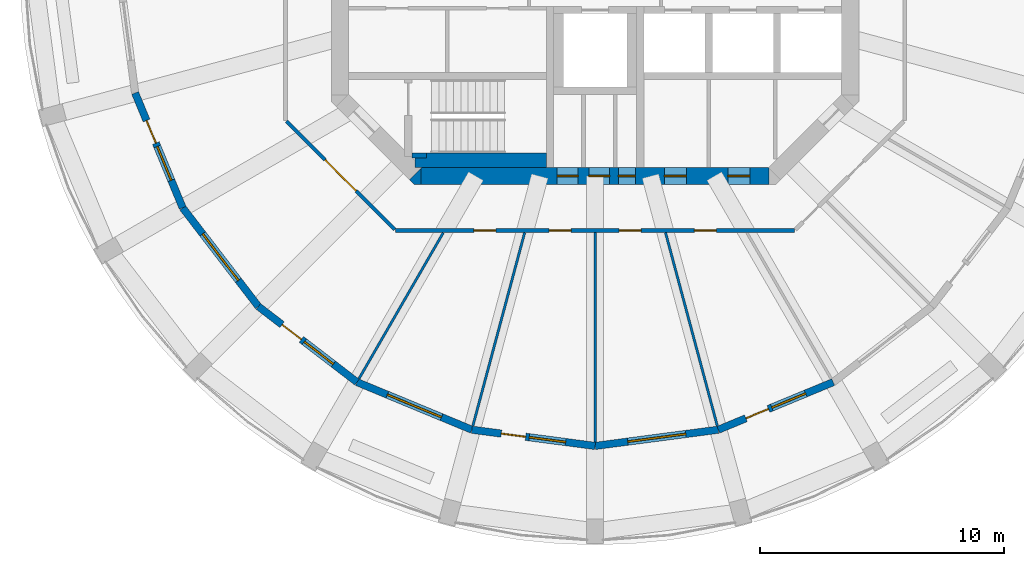
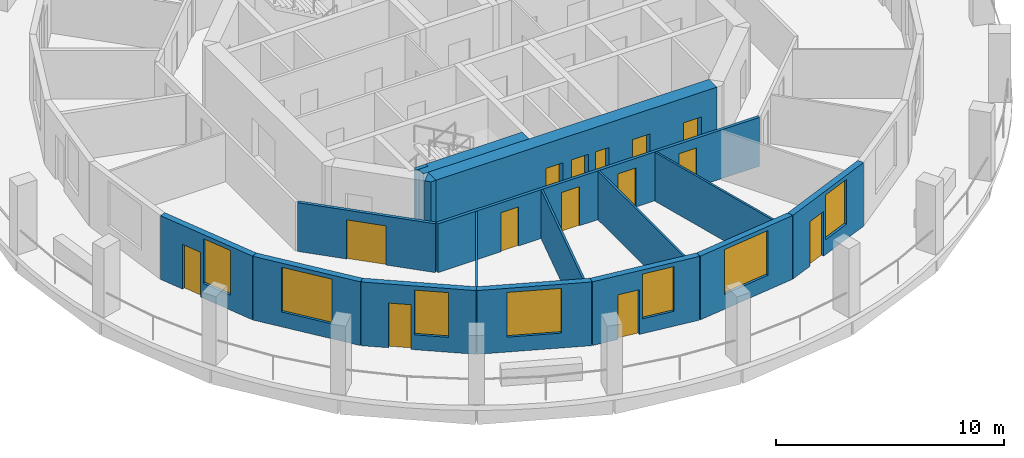
# One storey, part 2 of 8: 17 walls, 14 doors, 7 windows, 21 openings.
"""IFC4 building model written with IfcOpenShell, lengths in metres."""

from ifc_helpers import new_model, si_unit, direction, frame, frame_2d, origin, place, context, subcontext, project, spatial, polyline, rectangle, outline, extrude, material, layer, layer_set, type_object, element, fill, save


model = new_model("IFC4")

# Units and contexts
model_context = context("Model", 3, precision=1e-05, world=origin(), true_north=direction((0.0, 1.0)))
body_context = subcontext(model_context, "Body", "Model", "MODEL_VIEW")
ifc_project = project(units=[si_unit("LENGTHUNIT", "METRE"), si_unit("AREAUNIT", "SQUARE_METRE"), si_unit("VOLUMEUNIT", "CUBIC_METRE"), si_unit("PLANEANGLEUNIT", "RADIAN"), si_unit("MASSUNIT", "GRAM", prefix="KILO")], contexts=[model_context])

# Site, building, storey
site_placement = place(None, origin())
site = spatial("IfcSite", under=ifc_project, at=site_placement, CompositionType="ELEMENT")
building_placement = place(site_placement, origin())
building = spatial("IfcBuilding", under=site, at=building_placement, Name="Torre Triforio", CompositionType="ELEMENT")
storey_placement = place(building_placement, frame((0.0, 0.0, 203.89990234375)))
storey = spatial("IfcBuildingStorey", under=building, at=storey_placement, Name="L46", CompositionType="ELEMENT", Elevation=203.89990234375)

# Wall, openings, doors
ifc_material_1 = material(Name="Concrete C50", Category="concrete")
ifc_layer_1 = layer(ifc_material_1, 0.699951171875)
ifc_layer_set_1 = layer_set([ifc_layer_1], Name="Concrete C50")
wall_type_1 = type_object("IfcWallType", Name="Core wall 700 mm C50 EI 120", PredefinedType="SHEAR", material=ifc_layer_set_1)
wall_1_placement = place(storey_placement, frame((-7.1298828125, -8.449951171875, -0.27978515625), z_axis=(0.0, 0.0, 1.0), x_axis=(1.0, 0.0, 0.0)))
wall_1 = element("IfcWall", 1, at=wall_1_placement, inside=storey, type_object=wall_type_1, Name="Core wall", PredefinedType="SHEAR", context=body_context, shape_type="SweptSolid", body=[
    extrude(rectangle(XDim=14.259765625, YDim=0.699951171875, at=frame_2d((7.1298828125, 0.0))), origin(), (0.0, 0.0, 1.0), 3.699951171875),
])
opening_1_placement = place(wall_1_placement, frame((8.080078125, 0.0, 0.280029296875)))
opening_1 = element("IfcOpeningElement", 2, at=opening_1_placement, cuts=wall_1, Name="Opening RISER-S", PredefinedType="OPENING", context=body_context, shape_type="SweptSolid", body=[
    extrude(rectangle(XDim=0.699951171875, YDim=2.10009765625, at=frame_2d((0.35009765625, 1.050048828125))), frame((0.0, 0.35986328125, 0.0), z_axis=(0.0, -1.0, 0.0), x_axis=(1.0, 0.0, 0.0)), (0.0, 0.0, 1.0), 0.719970703125),
])
opening_2_placement = place(wall_1_placement, frame((5.580078125, 0.0, 0.280029296875)))
opening_2 = element("IfcOpeningElement", 3, at=opening_2_placement, cuts=wall_1, Name="Opening SW-01A", PredefinedType="OPENING", context=body_context, shape_type="SweptSolid", body=[
    extrude(rectangle(XDim=0.85009765625, YDim=2.10009765625, at=frame_2d((0.425048828125, 1.050048828125))), frame((0.0, 0.35986328125, 0.0), z_axis=(0.0, -1.0, 0.0), x_axis=(1.0, 0.0, 0.0)), (0.0, 0.0, 1.0), 0.719970703125),
])
opening_3_placement = place(wall_1_placement, frame((6.8798828125, 0.0, 0.280029296875)))
opening_3 = element("IfcOpeningElement", 4, at=opening_3_placement, cuts=wall_1, Name="Opening SW-02", PredefinedType="OPENING", context=body_context, shape_type="SweptSolid", body=[
    extrude(rectangle(XDim=0.85009765625, YDim=2.10009765625, at=frame_2d((0.425048828125, 1.050048828125))), frame((0.0, 0.35986328125, 0.0), z_axis=(0.0, -1.0, 0.0), x_axis=(1.0, 0.0, 0.0)), (0.0, 0.0, 1.0), 0.719970703125),
])
opening_4_placement = place(wall_1_placement, frame((9.967041015625, 0.0, 0.280029296875)))
opening_4 = element("IfcOpeningElement", 5, at=opening_4_placement, cuts=wall_1, Name="Opening SE-01A", PredefinedType="OPENING", context=body_context, shape_type="SweptSolid", body=[
    extrude(rectangle(XDim=0.89990234375, YDim=2.10009765625, at=frame_2d((0.449951171875, 1.050048828125))), frame((0.0, 0.35986328125, 0.0), z_axis=(0.0, -1.0, 0.0), x_axis=(1.0, 0.0, 0.0)), (0.0, 0.0, 1.0), 0.719970703125),
])
opening_5_placement = place(wall_1_placement, frame((12.56689453125, 0.0, 0.280029296875)))
opening_5 = element("IfcOpeningElement", 6, at=opening_5_placement, cuts=wall_1, Name="Opening SE-02", PredefinedType="OPENING", context=body_context, shape_type="SweptSolid", body=[
    extrude(rectangle(XDim=0.89990234375, YDim=2.10009765625, at=frame_2d((0.449951171875, 1.050048828125))), frame((0.0, 0.35986328125, 0.0), z_axis=(0.0, -1.0, 0.0), x_axis=(1.0, 0.0, 0.0)), (0.0, 0.0, 1.0), 0.719970703125),
])
ifc_material_2 = material(Name="Hollow metal fire door leaf")
door_type_1 = type_object("IfcDoorType", Name="Riser door 700 x 2100 EI 60", OperationType="NOTDEFINED", PredefinedType="DOOR", material=ifc_material_2)
door_1_placement = place(opening_1_placement, origin())
door_1 = element("IfcDoor", 7, at=door_1_placement, inside=storey, type_object=door_type_1, Name="Core door RISER-S", OperationType="SINGLE_SWING_RIGHT", OverallHeight=2.10009765625, OverallWidth=0.699951171875, PredefinedType="DOOR", context=body_context, shape_type="SweptSolid", body=[
    extrude(rectangle(XDim=0.699951171875, YDim=2.10009765625, at=frame_2d((0.35009765625, 1.050048828125))), frame((0.0, 0.02490234375, 0.0), z_axis=(0.0, -1.0, 0.0), x_axis=(1.0, 0.0, 0.0)), (0.0, 0.0, 1.0), 0.050048828125),
])
fill(opening_1, door_1)
door_type_2 = type_object("IfcDoorType", Name="Room door 850 x 2100 EI 60", OperationType="NOTDEFINED", PredefinedType="DOOR", material=ifc_material_2)
door_2_placement = place(opening_2_placement, origin())
door_2 = element("IfcDoor", 8, at=door_2_placement, inside=storey, type_object=door_type_2, Name="Core door SW-01", OperationType="SINGLE_SWING_RIGHT", OverallHeight=2.10009765625, OverallWidth=0.85009765625, PredefinedType="DOOR", context=body_context, shape_type="SweptSolid", body=[
    extrude(rectangle(XDim=0.85009765625, YDim=2.10009765625, at=frame_2d((0.425048828125, 1.050048828125))), frame((0.0, 0.02490234375, 0.0), z_axis=(0.0, -1.0, 0.0), x_axis=(1.0, 0.0, 0.0)), (0.0, 0.0, 1.0), 0.050048828125),
])
fill(opening_2, door_2)
door_3_placement = place(opening_3_placement, origin())
door_3 = element("IfcDoor", 9, at=door_3_placement, inside=storey, type_object=door_type_2, Name="Core door SW-02", OperationType="SINGLE_SWING_LEFT", OverallHeight=2.10009765625, OverallWidth=0.85009765625, PredefinedType="DOOR", context=body_context, shape_type="SweptSolid", body=[
    extrude(rectangle(XDim=0.85009765625, YDim=2.10009765625, at=frame_2d((0.425048828125, 1.050048828125))), frame((0.0, 0.02490234375, 0.0), z_axis=(0.0, -1.0, 0.0), x_axis=(1.0, 0.0, 0.0)), (0.0, 0.0, 1.0), 0.050048828125),
])
fill(opening_3, door_3)
door_type_3 = type_object("IfcDoorType", Name="Room door 900 x 2100 EI 60", OperationType="NOTDEFINED", PredefinedType="DOOR", material=ifc_material_2)
door_4_placement = place(opening_4_placement, origin())
door_4 = element("IfcDoor", 10, at=door_4_placement, inside=storey, type_object=door_type_3, Name="Core door SE-01", OperationType="SINGLE_SWING_LEFT", OverallHeight=2.10009765625, OverallWidth=0.89990234375, PredefinedType="DOOR", context=body_context, shape_type="SweptSolid", body=[
    extrude(rectangle(XDim=0.89990234375, YDim=2.10009765625, at=frame_2d((0.449951171875, 1.050048828125))), frame((0.0, 0.02490234375, 0.0), z_axis=(0.0, -1.0, 0.0), x_axis=(1.0, 0.0, 0.0)), (0.0, 0.0, 1.0), 0.050048828125),
])
fill(opening_4, door_4)
door_5_placement = place(opening_5_placement, origin())
door_5 = element("IfcDoor", 11, at=door_5_placement, inside=storey, type_object=door_type_3, Name="Core door SE-02", OperationType="SINGLE_SWING_LEFT", OverallHeight=2.10009765625, OverallWidth=0.89990234375, PredefinedType="DOOR", context=body_context, shape_type="SweptSolid", body=[
    extrude(rectangle(XDim=0.89990234375, YDim=2.10009765625, at=frame_2d((0.449951171875, 1.050048828125))), frame((0.0, 0.02490234375, 0.0), z_axis=(0.0, -1.0, 0.0), x_axis=(1.0, 0.0, 0.0)), (0.0, 0.0, 1.0), 0.050048828125),
])
fill(opening_5, door_5)

# Wall
wall_2_placement = place(storey_placement, frame((0.0, 0.0, -0.27978515625)))
element("IfcWall", 12, at=wall_2_placement, inside=storey, type_object=wall_type_1, Name="Core wall", PredefinedType="SHEAR", context=body_context, shape_type="SweptSolid", body=[
    extrude(outline(polyline([(-7.389892578125, -8.800048828125), (-7.594970703125, -8.594970703125), (-7.594970703125, -8.594970703125), (-7.594970703125, -8.594970703125), (-7.1298828125, -8.1298828125), (-7.1298828125, -8.800048828125), (-7.1298828125, -8.800048828125), (-7.389892578125, -8.800048828125)])), origin(), (0.0, 0.0, 1.0), 3.699951171875),
])

# Wall, openings, doors
ifc_material_3 = material(Name="Plasterboard on metal studs")
ifc_layer_2 = layer(ifc_material_3, 0.14990234375)
ifc_layer_set_2 = layer_set([ifc_layer_2], Name="Plasterboard on metal studs")
wall_type_2 = type_object("IfcWallType", Name="Corridor and tenancy wall 150 mm EI 60", PredefinedType="PARTITIONING", material=ifc_layer_set_2)
wall_3_placement = place(storey_placement, frame((8.16650390625, -10.675048828125, 0.0), z_axis=(0.0, 0.0, 1.0), x_axis=(-1.0, 0.0, 0.0)))
wall_3 = element("IfcWall", 13, at=wall_3_placement, inside=storey, type_object=wall_type_2, Name="Partition 2", PredefinedType="PARTITIONING", context=body_context, shape_type="SweptSolid", body=[
    extrude(rectangle(XDim=16.3330078125, YDim=0.14990234375, at=frame_2d((8.16650390625, 0.0))), origin(), (0.0, 0.0, 1.0), 2.6201171875),
])
opening_6_placement = place(wall_3_placement, frame((12.232421875, 0.0, 0.0)))
opening_6 = element("IfcOpeningElement", 14, at=opening_6_placement, cuts=wall_3, Name="Opening O5-02", PredefinedType="OPENING", context=body_context, shape_type="SweptSolid", body=[
    extrude(rectangle(XDim=0.89990234375, YDim=2.10009765625, at=frame_2d((0.449951171875, 1.050048828125))), frame((0.0, 0.0849609375, 0.0), z_axis=(0.0, -1.0, 0.0), x_axis=(1.0, 0.0, 0.0)), (0.0, 0.0, 1.0), 0.169921875),
])
opening_7_placement = place(wall_3_placement, frame((9.147705078125, 0.0, 0.0)))
opening_7 = element("IfcOpeningElement", 15, at=opening_7_placement, cuts=wall_3, Name="Opening O5-03", PredefinedType="OPENING", context=body_context, shape_type="SweptSolid", body=[
    extrude(rectangle(XDim=0.89990234375, YDim=2.10009765625, at=frame_2d((0.449951171875, 1.050048828125))), frame((0.0, 0.0849609375, 0.0), z_axis=(0.0, -1.0, 0.0), x_axis=(1.0, 0.0, 0.0)), (0.0, 0.0, 1.0), 0.169921875),
])
opening_8_placement = place(wall_3_placement, frame((6.285400390625, 0.0, 0.0)))
opening_8 = element("IfcOpeningElement", 16, at=opening_8_placement, cuts=wall_3, Name="Opening O5-04", PredefinedType="OPENING", context=body_context, shape_type="SweptSolid", body=[
    extrude(rectangle(XDim=0.89990234375, YDim=2.10009765625, at=frame_2d((0.449951171875, 1.050048828125))), frame((0.0, 0.0849609375, 0.0), z_axis=(0.0, -1.0, 0.0), x_axis=(1.0, 0.0, 0.0)), (0.0, 0.0, 1.0), 0.169921875),
])
opening_9_placement = place(wall_3_placement, frame((3.200927734375, 0.0, 0.0)))
opening_9 = element("IfcOpeningElement", 17, at=opening_9_placement, cuts=wall_3, Name="Opening O5-05", PredefinedType="OPENING", context=body_context, shape_type="SweptSolid", body=[
    extrude(rectangle(XDim=0.89990234375, YDim=2.10009765625, at=frame_2d((0.449951171875, 1.050048828125))), frame((0.0, 0.0849609375, 0.0), z_axis=(0.0, -1.0, 0.0), x_axis=(1.0, 0.0, 0.0)), (0.0, 0.0, 1.0), 0.169921875),
])
ifc_material_4 = material(Name="Timber", Category="wood")
door_type_4 = type_object("IfcDoorType", Name="Door 900 x 2100 single leaf EI 30", OperationType="NOTDEFINED", PredefinedType="DOOR", material=ifc_material_4)
door_6_placement = place(opening_6_placement, origin())
door_6 = element("IfcDoor", 18, at=door_6_placement, inside=storey, type_object=door_type_4, Name="Door O5-02", OperationType="SINGLE_SWING_LEFT", OverallHeight=2.10009765625, OverallWidth=0.89990234375, PredefinedType="DOOR", context=body_context, shape_type="SweptSolid", body=[
    extrude(rectangle(XDim=0.89990234375, YDim=2.10009765625, at=frame_2d((0.449951171875, 1.050048828125))), frame((0.0, 0.02490234375, 0.0), z_axis=(0.0, -1.0, 0.0), x_axis=(1.0, 0.0, 0.0)), (0.0, 0.0, 1.0), 0.050048828125),
])
fill(opening_6, door_6)
door_7_placement = place(opening_7_placement, origin())
door_7 = element("IfcDoor", 19, at=door_7_placement, inside=storey, type_object=door_type_4, Name="Door O5-03", OperationType="SINGLE_SWING_LEFT", OverallHeight=2.10009765625, OverallWidth=0.89990234375, PredefinedType="DOOR", context=body_context, shape_type="SweptSolid", body=[
    extrude(rectangle(XDim=0.89990234375, YDim=2.10009765625, at=frame_2d((0.449951171875, 1.050048828125))), frame((0.0, 0.02490234375, 0.0), z_axis=(0.0, -1.0, 0.0), x_axis=(1.0, 0.0, 0.0)), (0.0, 0.0, 1.0), 0.050048828125),
])
fill(opening_7, door_7)
door_8_placement = place(opening_8_placement, origin())
door_8 = element("IfcDoor", 20, at=door_8_placement, inside=storey, type_object=door_type_4, Name="Door O5-04", OperationType="SINGLE_SWING_LEFT", OverallHeight=2.10009765625, OverallWidth=0.89990234375, PredefinedType="DOOR", context=body_context, shape_type="SweptSolid", body=[
    extrude(rectangle(XDim=0.89990234375, YDim=2.10009765625, at=frame_2d((0.449951171875, 1.050048828125))), frame((0.0, 0.02490234375, 0.0), z_axis=(0.0, -1.0, 0.0), x_axis=(1.0, 0.0, 0.0)), (0.0, 0.0, 1.0), 0.050048828125),
])
fill(opening_8, door_8)
door_9_placement = place(opening_9_placement, origin())
door_9 = element("IfcDoor", 21, at=door_9_placement, inside=storey, type_object=door_type_4, Name="Door O5-05", OperationType="SINGLE_SWING_LEFT", OverallHeight=2.10009765625, OverallWidth=0.89990234375, PredefinedType="DOOR", context=body_context, shape_type="SweptSolid", body=[
    extrude(rectangle(XDim=0.89990234375, YDim=2.10009765625, at=frame_2d((0.449951171875, 1.050048828125))), frame((0.0, 0.02490234375, 0.0), z_axis=(0.0, -1.0, 0.0), x_axis=(1.0, 0.0, 0.0)), (0.0, 0.0, 1.0), 0.050048828125),
])
fill(opening_9, door_9)

# Wall, opening, door
wall_4_placement = place(storey_placement, frame((-8.20361328125, -10.637939453125, 0.0), z_axis=(0.0, 0.0, 1.0), x_axis=(-0.707106781187, 0.707106781187, 0.0)))
wall_4 = element("IfcWall", 22, at=wall_4_placement, inside=storey, type_object=wall_type_2, Name="Partition 3", PredefinedType="PARTITIONING", context=body_context, shape_type="SweptSolid", body=[
    extrude(rectangle(XDim=6.27099609375, YDim=0.14990234375, at=frame_2d((3.135498046875, 0.0))), origin(), (0.0, 0.0, 1.0), 2.6201171875),
])
opening_10_placement = place(wall_4_placement, frame((2.2353515625, 0.0, 0.0)))
opening_10 = element("IfcOpeningElement", 23, at=opening_10_placement, cuts=wall_4, Name="Opening O5-01", PredefinedType="OPENING", context=body_context, shape_type="SweptSolid", body=[
    extrude(rectangle(XDim=1.800048828125, YDim=2.10009765625, at=frame_2d((0.89990234375, 1.050048828125))), frame((0.0, 0.0849609375, 0.0), z_axis=(0.0, -1.0, 0.0), x_axis=(1.0, 0.0, 0.0)), (0.0, 0.0, 1.0), 0.169921875),
])
door_type_5 = type_object("IfcDoorType", Name="Door 1800 x 2100 double leaf EI 30", OperationType="DOUBLE_DOOR_SINGLE_SWING", PredefinedType="DOOR", material=ifc_material_4)
door_10_placement = place(opening_10_placement, origin())
door_10 = element("IfcDoor", 24, at=door_10_placement, inside=storey, type_object=door_type_5, Name="Door O5-01", OperationType="DOUBLE_DOOR_SINGLE_SWING", OverallHeight=2.10009765625, OverallWidth=1.800048828125, PredefinedType="DOOR", context=body_context, shape_type="SweptSolid", body=[
    extrude(rectangle(XDim=1.800048828125, YDim=2.10009765625, at=frame_2d((0.89990234375, 1.050048828125))), frame((0.0, 0.02490234375, 0.0), z_axis=(0.0, -1.0, 0.0), x_axis=(1.0, 0.0, 0.0)), (0.0, 0.0, 1.0), 0.050048828125),
])
fill(opening_10, door_10)

# Walls
ifc_layer_3 = layer(ifc_material_3, 0.10009765625)
ifc_layer_set_3 = layer_set([ifc_layer_3], Name="Plasterboard on metal studs")
wall_type_3 = type_object("IfcWallType", Name="Partition 100 mm board on metal studs", PredefinedType="PARTITIONING", material=ifc_layer_set_3)
wall_5_placement = place(storey_placement, frame((-6.220703125, -10.774658203125, 0.0), z_axis=(0.0, 0.0, 1.0), x_axis=(-0.500015661236, -0.866016361577, 0.0)))
element("IfcWall", 25, at=wall_5_placement, inside=storey, type_object=wall_type_3, Name="Partition 20", PredefinedType="PARTITIONING", context=body_context, shape_type="SweptSolid", body=[
    extrude(rectangle(XDim=6.895263671875, YDim=0.10009765625, at=frame_2d((3.44775390625, 0.0))), origin(), (0.0, 0.0, 1.0), 2.6201171875),
])
wall_6_placement = place(storey_placement, frame((-2.88427734375, -10.764404296875, 0.0), z_axis=(0.0, 0.0, 1.0), x_axis=(-0.258818011497, -0.965926103242, 0.0)))
element("IfcWall", 26, at=wall_6_placement, inside=storey, type_object=wall_type_3, Name="Partition 21", PredefinedType="PARTITIONING", context=body_context, shape_type="SweptSolid", body=[
    extrude(rectangle(XDim=8.1923828125, YDim=0.10009765625, at=frame_2d((4.09619140625, 0.0))), origin(), (0.0, 0.0, 1.0), 2.6201171875),
])
wall_7_placement = place(storey_placement, frame((0.0, -10.75, 0.0), z_axis=(0.0, 0.0, 1.0), x_axis=(0.0, -1.0, 0.0)))
element("IfcWall", 27, at=wall_7_placement, inside=storey, type_object=wall_type_3, Name="Partition 22", PredefinedType="PARTITIONING", context=body_context, shape_type="SweptSolid", body=[
    extrude(rectangle(XDim=8.586669921875, YDim=0.10009765625, at=frame_2d((4.29345703125, 0.0))), origin(), (0.0, 0.0, 1.0), 2.6201171875),
])
wall_8_placement = place(storey_placement, frame((2.88427734375, -10.764404296875, 0.0), z_axis=(0.0, 0.0, 1.0), x_axis=(0.258818011497, -0.965926103242, 0.0)))
element("IfcWall", 28, at=wall_8_placement, inside=storey, type_object=wall_type_3, Name="Partition 23", PredefinedType="PARTITIONING", context=body_context, shape_type="SweptSolid", body=[
    extrude(rectangle(XDim=8.1923828125, YDim=0.10009765625, at=frame_2d((4.09619140625, 0.0))), origin(), (0.0, 0.0, 1.0), 2.6201171875),
])
ifc_layer_4 = layer(ifc_material_1, 0.199951171875)
ifc_layer_set_4 = layer_set([ifc_layer_4], Name="Concrete C50")
wall_type_4 = type_object("IfcWallType", Name="Stair wall 200 mm C50 EI 120", PredefinedType="SHEAR", material=ifc_layer_set_4)
wall_9_placement = place(storey_placement, frame((-7.5, -7.60009765625, 0.0), z_axis=(0.0, 0.0, 1.0), x_axis=(1.0, 0.0, 0.0)))
element("IfcWall", 29, at=wall_9_placement, inside=storey, type_object=wall_type_4, Name="Stair wall", PredefinedType="SHEAR", context=body_context, shape_type="SweptSolid", body=[
    extrude(rectangle(XDim=0.60009765625, YDim=0.199951171875, at=frame_2d((0.300048828125, 0.0))), origin(), (0.0, 0.0, 1.0), 3.420166015625),
])
ifc_layer_5 = layer(ifc_material_1, 0.60009765625)
ifc_layer_set_5 = layer_set([ifc_layer_5], Name="Concrete C50")
wall_type_5 = type_object("IfcWallType", Name="Stair wall 600 mm C50 EI 120", PredefinedType="SHEAR", material=ifc_layer_set_5)
wall_10_placement = place(storey_placement, frame((-7.3701171875, -7.800048828125, 0.0), z_axis=(0.0, 0.0, 1.0), x_axis=(1.0, 0.0, 0.0)))
element("IfcWall", 30, at=wall_10_placement, inside=storey, type_object=wall_type_5, Name="Stair wall", PredefinedType="SHEAR", context=body_context, shape_type="SweptSolid", body=[
    extrude(rectangle(XDim=5.3701171875, YDim=0.60009765625, at=frame_2d((2.68505859375, 0.0))), origin(), (0.0, 0.0, 1.0), 3.420166015625),
])

# Wall, openings, door, window
ifc_material_5 = material(Name="Limestone cladding", Category="masonry")
ifc_layer_6 = layer(ifc_material_5, 0.10009765625)
ifc_material_6 = material(Name="Concrete C40", Category="concrete")
ifc_layer_7 = layer(ifc_material_6, 0.199951171875)
ifc_layer_set_6 = layer_set([ifc_layer_6, ifc_layer_7], Name="Limestone cladding / Concrete C40")
wall_type_6 = type_object("IfcWallType", Name="Stone-faced composite wall 300", PredefinedType="STANDARD", material=ifc_layer_set_6)
wall_11_placement = place(storey_placement, frame((-18.835693359375, -5.047119140625, 0.0), z_axis=(0.0, 0.0, 1.0), x_axis=(0.382724538613, -0.923862504675, 0.0)))
wall_11 = element("IfcWall", 31, at=wall_11_placement, inside=storey, type_object=wall_type_6, Name="External wall L46 bay 14", PredefinedType="STANDARD", context=body_context, shape_type="SweptSolid", body=[
    extrude(rectangle(XDim=5.090576171875, YDim=0.300048828125, at=frame_2d((2.54541015625, 0.0))), origin(), (0.0, 0.0, 1.0), 3.420166015625),
])
opening_11_placement = place(wall_11_placement, frame((1.22021484375, 0.0, 0.0)))
opening_11 = element("IfcOpeningElement", 32, at=opening_11_placement, cuts=wall_11, Name="Opening O5-D14", PredefinedType="OPENING", context=body_context, shape_type="SweptSolid", body=[
    extrude(rectangle(XDim=1.0, YDim=2.39990234375, at=frame_2d((0.5, 1.199951171875))), frame((0.0, 0.159912109375, 0.0), z_axis=(0.0, -1.0, 0.0), x_axis=(1.0, 0.0, 0.0)), (0.0, 0.0, 1.0), 0.320068359375),
])
opening_12_placement = place(wall_11_placement, frame((2.370361328125, 0.0, 0.800048828125)))
opening_12 = element("IfcOpeningElement", 33, at=opening_12_placement, cuts=wall_11, Name="Opening O5-W14A", PredefinedType="OPENING", context=body_context, shape_type="SweptSolid", body=[
    extrude(rectangle(XDim=1.5, YDim=2.39990234375, at=frame_2d((0.75, 1.199951171875))), frame((0.0, 0.159912109375, 0.0), z_axis=(0.0, -1.0, 0.0), x_axis=(1.0, 0.0, 0.0)), (0.0, 0.0, 1.0), 0.320068359375),
])
ifc_material_7 = material(Name="Aluminium frame with clear double glazing", Category="aluminium")
door_type_6 = type_object("IfcDoorType", Name="Loggia door 1000 x 2400", OperationType="NOTDEFINED", PredefinedType="DOOR", material=ifc_material_7)
door_11_placement = place(opening_11_placement, origin())
door_11 = element("IfcDoor", 34, at=door_11_placement, inside=storey, type_object=door_type_6, Name="Loggia door L46 bay 14", OperationType="SINGLE_SWING_LEFT", OverallHeight=2.39990234375, OverallWidth=1.0, PredefinedType="DOOR", context=body_context, shape_type="SweptSolid", body=[
    extrude(rectangle(XDim=1.0, YDim=2.39990234375, at=frame_2d((0.5, 1.199951171875))), frame((0.0, 0.02490234375, 0.0), z_axis=(0.0, -1.0, 0.0), x_axis=(1.0, 0.0, 0.0)), (0.0, 0.0, 1.0), 0.050048828125),
])
fill(opening_11, door_11)
window_type_1 = type_object("IfcWindowType", Name="Side window 1500 x 2400", PartitioningType="SINGLE_PANEL", PredefinedType="WINDOW", material=ifc_material_7)
window_1_placement = place(opening_12_placement, origin())
window_1 = element("IfcWindow", 35, at=window_1_placement, inside=storey, type_object=window_type_1, Name="Side window EWN14 L46 bay 14", OverallHeight=2.39990234375, OverallWidth=1.5, PartitioningType="SINGLE_PANEL", PredefinedType="WINDOW", context=body_context, shape_type="SweptSolid", body=[
    extrude(rectangle(XDim=1.5, YDim=2.39990234375, at=frame_2d((0.75, 1.199951171875))), frame((0.0, 0.030029296875, 0.0), z_axis=(0.0, -1.0, 0.0), x_axis=(1.0, 0.0, 0.0)), (0.0, 0.0, 1.0), 0.06005859375),
])
fill(opening_12, window_1)

# Wall, opening, window
wall_12_placement = place(storey_placement, frame((-16.887451171875, -9.75, 0.0), z_axis=(0.0, 0.0, 1.0), x_axis=(0.608757714995, -0.79335619014, 0.0)))
wall_12 = element("IfcWall", 36, at=wall_12_placement, inside=storey, type_object=wall_type_6, Name="External wall L46 bay 15", PredefinedType="STANDARD", context=body_context, shape_type="SweptSolid", body=[
    extrude(rectangle(XDim=5.090576171875, YDim=0.300048828125, at=frame_2d((2.54541015625, 0.0))), origin(), (0.0, 0.0, 1.0), 3.420166015625),
])
opening_13_placement = place(wall_12_placement, frame((1.34521484375, 0.0, 0.800048828125)))
opening_13 = element("IfcOpeningElement", 37, at=opening_13_placement, cuts=wall_12, Name="Opening O5-W15", PredefinedType="OPENING", context=body_context, shape_type="SweptSolid", body=[
    extrude(rectangle(XDim=2.39990234375, YDim=2.39990234375, at=frame_2d((1.199951171875, 1.199951171875))), frame((0.0, 0.159912109375, 0.0), z_axis=(0.0, -1.0, 0.0), x_axis=(1.0, 0.0, 0.0)), (0.0, 0.0, 1.0), 0.320068359375),
])
window_type_2 = type_object("IfcWindowType", Name="Punched window 2400 x 2400", PartitioningType="DOUBLE_PANEL_VERTICAL", PredefinedType="WINDOW", material=ifc_material_7)
window_2_placement = place(opening_13_placement, origin())
window_2 = element("IfcWindow", 38, at=window_2_placement, inside=storey, type_object=window_type_2, Name="Window EWN4 L46 bay 15", OverallHeight=2.39990234375, OverallWidth=2.39990234375, PartitioningType="SINGLE_PANEL", PredefinedType="WINDOW", context=body_context, shape_type="SweptSolid", body=[
    extrude(rectangle(XDim=2.39990234375, YDim=2.39990234375, at=frame_2d((1.199951171875, 1.199951171875))), frame((0.0, 0.030029296875, 0.0), z_axis=(0.0, -1.0, 0.0), x_axis=(1.0, 0.0, 0.0)), (0.0, 0.0, 1.0), 0.06005859375),
])
fill(opening_13, window_2)

# Wall, openings, door, window
wall_13_placement = place(storey_placement, frame((-13.78857421875, -13.78857421875, 0.0), z_axis=(0.0, 0.0, 1.0), x_axis=(0.79335619014, -0.608757714995, 0.0)))
wall_13 = element("IfcWall", 39, at=wall_13_placement, inside=storey, type_object=wall_type_6, Name="External wall L46 bay 16", PredefinedType="STANDARD", context=body_context, shape_type="SweptSolid", body=[
    extrude(rectangle(XDim=5.090576171875, YDim=0.300048828125, at=frame_2d((2.54541015625, 0.0))), origin(), (0.0, 0.0, 1.0), 3.420166015625),
])
opening_14_placement = place(wall_13_placement, frame((1.22021484375, 0.0, 0.0)))
opening_14 = element("IfcOpeningElement", 40, at=opening_14_placement, cuts=wall_13, Name="Opening O5-D16", PredefinedType="OPENING", context=body_context, shape_type="SweptSolid", body=[
    extrude(rectangle(XDim=1.0, YDim=2.39990234375, at=frame_2d((0.5, 1.199951171875))), frame((0.0, 0.159912109375, 0.0), z_axis=(0.0, -1.0, 0.0), x_axis=(1.0, 0.0, 0.0)), (0.0, 0.0, 1.0), 0.320068359375),
])
opening_15_placement = place(wall_13_placement, frame((2.370361328125, 0.0, 0.800048828125)))
opening_15 = element("IfcOpeningElement", 41, at=opening_15_placement, cuts=wall_13, Name="Opening O5-W16A", PredefinedType="OPENING", context=body_context, shape_type="SweptSolid", body=[
    extrude(rectangle(XDim=1.5, YDim=2.39990234375, at=frame_2d((0.75, 1.199951171875))), frame((0.0, 0.159912109375, 0.0), z_axis=(0.0, -1.0, 0.0), x_axis=(1.0, 0.0, 0.0)), (0.0, 0.0, 1.0), 0.320068359375),
])
door_12_placement = place(opening_14_placement, origin())
door_12 = element("IfcDoor", 42, at=door_12_placement, inside=storey, type_object=door_type_6, Name="Loggia door L46 bay 16", OperationType="SINGLE_SWING_LEFT", OverallHeight=2.39990234375, OverallWidth=1.0, PredefinedType="DOOR", context=body_context, shape_type="SweptSolid", body=[
    extrude(rectangle(XDim=1.0, YDim=2.39990234375, at=frame_2d((0.5, 1.199951171875))), frame((0.0, 0.02490234375, 0.0), z_axis=(0.0, -1.0, 0.0), x_axis=(1.0, 0.0, 0.0)), (0.0, 0.0, 1.0), 0.050048828125),
])
fill(opening_14, door_12)
window_3_placement = place(opening_15_placement, origin())
window_3 = element("IfcWindow", 43, at=window_3_placement, inside=storey, type_object=window_type_1, Name="Side window EWN14 L46 bay 16", OverallHeight=2.39990234375, OverallWidth=1.5, PartitioningType="SINGLE_PANEL", PredefinedType="WINDOW", context=body_context, shape_type="SweptSolid", body=[
    extrude(rectangle(XDim=1.5, YDim=2.39990234375, at=frame_2d((0.75, 1.199951171875))), frame((0.0, 0.030029296875, 0.0), z_axis=(0.0, -1.0, 0.0), x_axis=(1.0, 0.0, 0.0)), (0.0, 0.0, 1.0), 0.06005859375),
])
fill(opening_15, window_3)

# Wall, opening, window
wall_14_placement = place(storey_placement, frame((-9.75, -16.887451171875, 0.0), z_axis=(0.0, 0.0, 1.0), x_axis=(0.923862504675, -0.382724538613, 0.0)))
wall_14 = element("IfcWall", 44, at=wall_14_placement, inside=storey, type_object=wall_type_6, Name="External wall L46 bay 17", PredefinedType="STANDARD", context=body_context, shape_type="SweptSolid", body=[
    extrude(rectangle(XDim=5.090576171875, YDim=0.300048828125, at=frame_2d((2.54541015625, 0.0))), origin(), (0.0, 0.0, 1.0), 3.420166015625),
])
opening_16_placement = place(wall_14_placement, frame((1.34521484375, 0.0, 0.800048828125)))
opening_16 = element("IfcOpeningElement", 45, at=opening_16_placement, cuts=wall_14, Name="Opening O5-W17", PredefinedType="OPENING", context=body_context, shape_type="SweptSolid", body=[
    extrude(rectangle(XDim=2.39990234375, YDim=2.39990234375, at=frame_2d((1.199951171875, 1.199951171875))), frame((0.0, 0.159912109375, 0.0), z_axis=(0.0, -1.0, 0.0), x_axis=(1.0, 0.0, 0.0)), (0.0, 0.0, 1.0), 0.320068359375),
])
window_4_placement = place(opening_16_placement, origin())
window_4 = element("IfcWindow", 46, at=window_4_placement, inside=storey, type_object=window_type_2, Name="Window EWN4 L46 bay 17", OverallHeight=2.39990234375, OverallWidth=2.39990234375, PartitioningType="SINGLE_PANEL", PredefinedType="WINDOW", context=body_context, shape_type="SweptSolid", body=[
    extrude(rectangle(XDim=2.39990234375, YDim=2.39990234375, at=frame_2d((1.199951171875, 1.199951171875))), frame((0.0, 0.030029296875, 0.0), z_axis=(0.0, -1.0, 0.0), x_axis=(1.0, 0.0, 0.0)), (0.0, 0.0, 1.0), 0.06005859375),
])
fill(opening_16, window_4)

# Wall, openings, door, window
wall_15_placement = place(storey_placement, frame((-5.047119140625, -18.835693359375, 0.0), z_axis=(0.0, 0.0, 1.0), x_axis=(0.99144890792, -0.130495451964, 0.0)))
wall_15 = element("IfcWall", 47, at=wall_15_placement, inside=storey, type_object=wall_type_6, Name="External wall L46 bay 18", PredefinedType="STANDARD", context=body_context, shape_type="SweptSolid", body=[
    extrude(rectangle(XDim=5.090576171875, YDim=0.300048828125, at=frame_2d((2.54541015625, 0.0))), origin(), (0.0, 0.0, 1.0), 3.420166015625),
])
opening_17_placement = place(wall_15_placement, frame((1.22021484375, 0.0, 0.0)))
opening_17 = element("IfcOpeningElement", 48, at=opening_17_placement, cuts=wall_15, Name="Opening O5-D18", PredefinedType="OPENING", context=body_context, shape_type="SweptSolid", body=[
    extrude(rectangle(XDim=1.0, YDim=2.39990234375, at=frame_2d((0.5, 1.199951171875))), frame((0.0, 0.159912109375, 0.0), z_axis=(0.0, -1.0, 0.0), x_axis=(1.0, 0.0, 0.0)), (0.0, 0.0, 1.0), 0.320068359375),
])
opening_18_placement = place(wall_15_placement, frame((2.370361328125, 0.0, 0.800048828125)))
opening_18 = element("IfcOpeningElement", 49, at=opening_18_placement, cuts=wall_15, Name="Opening O5-W18A", PredefinedType="OPENING", context=body_context, shape_type="SweptSolid", body=[
    extrude(rectangle(XDim=1.5, YDim=2.39990234375, at=frame_2d((0.75, 1.199951171875))), frame((0.0, 0.159912109375, 0.0), z_axis=(0.0, -1.0, 0.0), x_axis=(1.0, 0.0, 0.0)), (0.0, 0.0, 1.0), 0.320068359375),
])
door_13_placement = place(opening_17_placement, origin())
door_13 = element("IfcDoor", 50, at=door_13_placement, inside=storey, type_object=door_type_6, Name="Loggia door L46 bay 18", OperationType="SINGLE_SWING_LEFT", OverallHeight=2.39990234375, OverallWidth=1.0, PredefinedType="DOOR", context=body_context, shape_type="SweptSolid", body=[
    extrude(rectangle(XDim=1.0, YDim=2.39990234375, at=frame_2d((0.5, 1.199951171875))), frame((0.0, 0.02490234375, 0.0), z_axis=(0.0, -1.0, 0.0), x_axis=(1.0, 0.0, 0.0)), (0.0, 0.0, 1.0), 0.050048828125),
])
fill(opening_17, door_13)
window_5_placement = place(opening_18_placement, origin())
window_5 = element("IfcWindow", 51, at=window_5_placement, inside=storey, type_object=window_type_1, Name="Side window EWN14 L46 bay 18", OverallHeight=2.39990234375, OverallWidth=1.5, PartitioningType="SINGLE_PANEL", PredefinedType="WINDOW", context=body_context, shape_type="SweptSolid", body=[
    extrude(rectangle(XDim=1.5, YDim=2.39990234375, at=frame_2d((0.75, 1.199951171875))), frame((0.0, 0.030029296875, 0.0), z_axis=(0.0, -1.0, 0.0), x_axis=(1.0, 0.0, 0.0)), (0.0, 0.0, 1.0), 0.06005859375),
])
fill(opening_18, window_5)

# Wall, opening, window
wall_16_placement = place(storey_placement, frame((0.0, -19.5, 0.0), z_axis=(0.0, 0.0, 1.0), x_axis=(0.99144890792, 0.130495451964, 0.0)))
wall_16 = element("IfcWall", 52, at=wall_16_placement, inside=storey, type_object=wall_type_6, Name="External wall L46 bay 19", PredefinedType="STANDARD", context=body_context, shape_type="SweptSolid", body=[
    extrude(rectangle(XDim=5.090576171875, YDim=0.300048828125, at=frame_2d((2.54541015625, 0.0))), origin(), (0.0, 0.0, 1.0), 3.420166015625),
])
opening_19_placement = place(wall_16_placement, frame((1.34521484375, 0.0, 0.800048828125)))
opening_19 = element("IfcOpeningElement", 53, at=opening_19_placement, cuts=wall_16, Name="Opening O5-W19", PredefinedType="OPENING", context=body_context, shape_type="SweptSolid", body=[
    extrude(rectangle(XDim=2.39990234375, YDim=2.39990234375, at=frame_2d((1.199951171875, 1.199951171875))), frame((0.0, 0.159912109375, 0.0), z_axis=(0.0, -1.0, 0.0), x_axis=(1.0, 0.0, 0.0)), (0.0, 0.0, 1.0), 0.320068359375),
])
window_6_placement = place(opening_19_placement, origin())
window_6 = element("IfcWindow", 54, at=window_6_placement, inside=storey, type_object=window_type_2, Name="Window EWN4 L46 bay 19", OverallHeight=2.39990234375, OverallWidth=2.39990234375, PartitioningType="SINGLE_PANEL", PredefinedType="WINDOW", context=body_context, shape_type="SweptSolid", body=[
    extrude(rectangle(XDim=2.39990234375, YDim=2.39990234375, at=frame_2d((1.199951171875, 1.199951171875))), frame((0.0, 0.030029296875, 0.0), z_axis=(0.0, -1.0, 0.0), x_axis=(1.0, 0.0, 0.0)), (0.0, 0.0, 1.0), 0.06005859375),
])
fill(opening_19, window_6)

# Wall, openings, door, window
wall_17_placement = place(storey_placement, frame((5.047119140625, -18.835693359375, 0.0), z_axis=(0.0, 0.0, 1.0), x_axis=(0.923862504675, 0.382724538613, 0.0)))
wall_17 = element("IfcWall", 55, at=wall_17_placement, inside=storey, type_object=wall_type_6, Name="External wall L46 bay 20", PredefinedType="STANDARD", context=body_context, shape_type="SweptSolid", body=[
    extrude(rectangle(XDim=5.090576171875, YDim=0.300048828125, at=frame_2d((2.54541015625, 0.0))), origin(), (0.0, 0.0, 1.0), 3.420166015625),
])
opening_20_placement = place(wall_17_placement, frame((1.22021484375, 0.0, 0.0)))
opening_20 = element("IfcOpeningElement", 56, at=opening_20_placement, cuts=wall_17, Name="Opening O5-D20", PredefinedType="OPENING", context=body_context, shape_type="SweptSolid", body=[
    extrude(rectangle(XDim=1.0, YDim=2.39990234375, at=frame_2d((0.5, 1.199951171875))), frame((0.0, 0.159912109375, 0.0), z_axis=(0.0, -1.0, 0.0), x_axis=(1.0, 0.0, 0.0)), (0.0, 0.0, 1.0), 0.320068359375),
])
opening_21_placement = place(wall_17_placement, frame((2.370361328125, 0.0, 0.800048828125)))
opening_21 = element("IfcOpeningElement", 57, at=opening_21_placement, cuts=wall_17, Name="Opening O5-W20A", PredefinedType="OPENING", context=body_context, shape_type="SweptSolid", body=[
    extrude(rectangle(XDim=1.5, YDim=2.39990234375, at=frame_2d((0.75, 1.199951171875))), frame((0.0, 0.159912109375, 0.0), z_axis=(0.0, -1.0, 0.0), x_axis=(1.0, 0.0, 0.0)), (0.0, 0.0, 1.0), 0.320068359375),
])
door_14_placement = place(opening_20_placement, origin())
door_14 = element("IfcDoor", 58, at=door_14_placement, inside=storey, type_object=door_type_6, Name="Loggia door L46 bay 20", OperationType="SINGLE_SWING_LEFT", OverallHeight=2.39990234375, OverallWidth=1.0, PredefinedType="DOOR", context=body_context, shape_type="SweptSolid", body=[
    extrude(rectangle(XDim=1.0, YDim=2.39990234375, at=frame_2d((0.5, 1.199951171875))), frame((0.0, 0.02490234375, 0.0), z_axis=(0.0, -1.0, 0.0), x_axis=(1.0, 0.0, 0.0)), (0.0, 0.0, 1.0), 0.050048828125),
])
fill(opening_20, door_14)
window_7_placement = place(opening_21_placement, origin())
window_7 = element("IfcWindow", 59, at=window_7_placement, inside=storey, type_object=window_type_1, Name="Side window EWN14 L46 bay 20", OverallHeight=2.39990234375, OverallWidth=1.5, PartitioningType="SINGLE_PANEL", PredefinedType="WINDOW", context=body_context, shape_type="SweptSolid", body=[
    extrude(rectangle(XDim=1.5, YDim=2.39990234375, at=frame_2d((0.75, 1.199951171875))), frame((0.0, 0.030029296875, 0.0), z_axis=(0.0, -1.0, 0.0), x_axis=(1.0, 0.0, 0.0)), (0.0, 0.0, 1.0), 0.06005859375),
])
fill(opening_21, window_7)

save(model, "model.ifc")
